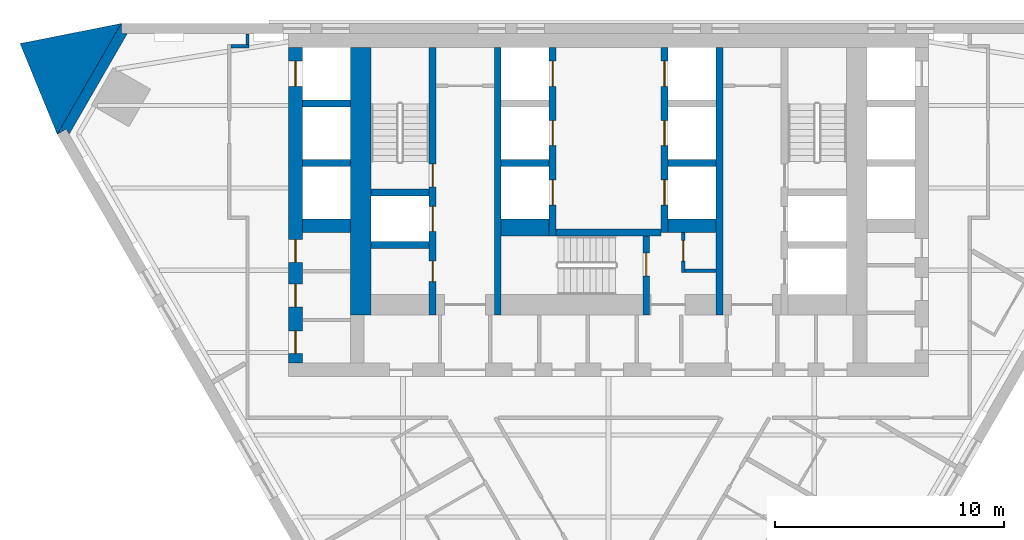
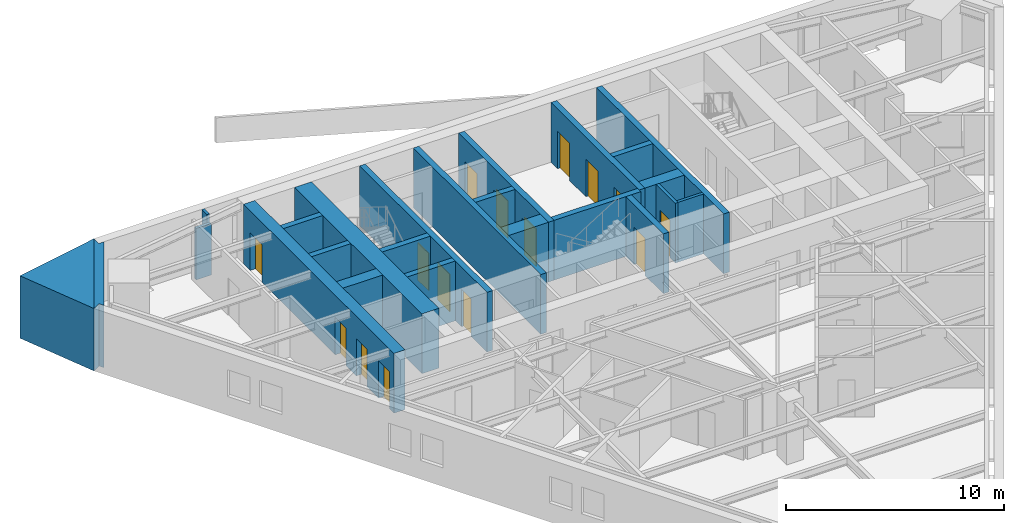
# One storey, part 5 of 10: 24 walls, 15 doors, 15 openings.
"""IFC4 building model written with IfcOpenShell, lengths in metres."""

from ifc_helpers import new_model, si_unit, direction, frame, frame_2d, origin, place, context, subcontext, project, spatial, polyline, rectangle, outline, extrude, material, layer, layer_set, type_object, element, fill, save


model = new_model("IFC4")

# Units and contexts
model_context = context("Model", 3, precision=1e-05, world=origin(), true_north=direction((0.0, 1.0)))
body_context = subcontext(model_context, "Body", "Model", "MODEL_VIEW")
ifc_project = project(units=[si_unit("LENGTHUNIT", "METRE"), si_unit("AREAUNIT", "SQUARE_METRE"), si_unit("VOLUMEUNIT", "CUBIC_METRE"), si_unit("PLANEANGLEUNIT", "RADIAN"), si_unit("MASSUNIT", "GRAM", prefix="KILO")], contexts=[model_context])

# Site, building, storey
site_placement = place(None, origin())
site = spatial("IfcSite", under=ifc_project, at=site_placement, CompositionType="ELEMENT")
building_placement = place(site_placement, origin())
building = spatial("IfcBuilding", under=site, at=building_placement, Name="Aloe Facet Convention Tower", CompositionType="ELEMENT")
storey_placement = place(building_placement, frame((0.0, 0.0, 85.300048828125)))
storey = spatial("IfcBuildingStorey", under=building, at=storey_placement, Name="L20", CompositionType="ELEMENT", Elevation=85.300048828125)

# Wall, opening, door
ifc_material_1 = material(Name="Concrete blockwork partition", Category="masonry")
ifc_layer_1 = layer(ifc_material_1, 0.14990234375)
ifc_layer_set_1 = layer_set([ifc_layer_1], Name="CR-W-PART150")
wall_type_1 = type_object("IfcWallType", Name="CR-W-PART150", PredefinedType="PARTITIONING", material=ifc_layer_set_1)
wall_1_placement = place(storey_placement, frame((83.27490234375, 125.85009765625, 0.0), z_axis=(0.0, 0.0, 1.0), x_axis=(0.0, -1.0, 0.0)))
wall_1 = element("IfcWall", 1, at=wall_1_placement, inside=storey, type_object=wall_type_1, Name="Core partition L20-036", PredefinedType="PARTITIONING", context=body_context, shape_type="SweptSolid", body=[
    extrude(rectangle(XDim=1.75, YDim=0.14990234375, at=frame_2d((0.875, 0.0))), origin(), (0.0, 0.0, 1.0), 3.349853515625),
])
opening_1_placement = place(wall_1_placement, frame((0.35009765625, 0.0, 0.0)))
opening_1 = element("IfcOpeningElement", 2, at=opening_1_placement, cuts=wall_1, Name="Opening L20-CD20", PredefinedType="OPENING", context=body_context, shape_type="SweptSolid", body=[
    extrude(rectangle(XDim=0.89990234375, YDim=2.10009765625, at=frame_2d((0.449951171875, 1.050048828125))), frame((0.0, 0.0849609375, 0.0), z_axis=(0.0, -1.0, 0.0), x_axis=(1.0, 0.0, 0.0)), (0.0, 0.0, 1.0), 0.169921875),
])
ifc_material_2 = material(Name="Steel fire-resisting door set FD60", Category="steel")
door_type_1 = type_object("IfcDoorType", Name="CR-D-REFUGE-900-FD60-SRIGHT", OperationType="SINGLE_SWING_RIGHT", PredefinedType="DOOR", material=ifc_material_2)
door_1_placement = place(opening_1_placement, origin())
door_1 = element("IfcDoor", 3, at=door_1_placement, inside=storey, type_object=door_type_1, Name="Core door L20-CD20", OperationType="SINGLE_SWING_RIGHT", OverallHeight=2.10009765625, OverallWidth=0.89990234375, PredefinedType="DOOR", context=body_context, shape_type="SweptSolid", body=[
    extrude(rectangle(XDim=0.89990234375, YDim=2.10009765625, at=frame_2d((0.449951171875, 1.050048828125))), frame((0.0, 0.02490234375, 0.0), z_axis=(0.0, -1.0, 0.0), x_axis=(1.0, 0.0, 0.0)), (0.0, 0.0, 1.0), 0.050048828125),
])
fill(opening_1, door_1)

# Walls
wall_2_placement = place(storey_placement, frame((83.35009765625, 124.175048828125, 0.0), z_axis=(0.0, 0.0, 1.0), x_axis=(1.0, 0.0, 0.0)))
element("IfcWall", 4, at=wall_2_placement, inside=storey, type_object=wall_type_1, Name="Core partition L20-037", PredefinedType="PARTITIONING", context=body_context, shape_type="SweptSolid", body=[
    extrude(rectangle(XDim=1.349853515625, YDim=0.14990234375, at=frame_2d((0.6748046875, 0.0))), origin(), (0.0, 0.0, 1.0), 3.349853515625),
])
ifc_material_3 = material(Name="Concrete C70/85", Category="concrete")
ifc_layer_2 = layer(ifc_material_3, 0.300048828125)
ifc_layer_set_2 = layer_set([ifc_layer_2], Name="CR-W-RC300-C7085")
wall_type_2 = type_object("IfcWallType", Name="CR-W-RC300-C7085", PredefinedType="SOLIDWALL", material=ifc_layer_set_2)
for number, where, z_axis, x_axis, name in (
    (5, (66.60009765625, 131.5, 0.0), (0.0, 0.0, 1.0), (1.0, 0.0, 0.0), "Core wall L20-004"),
    (6, (66.60009765625, 128.89990234375, 0.0), (0.0, 0.0, 1.0), (1.0, 0.0, 0.0), "Core wall L20-005"),
):
    element("IfcWall", number, at=place(storey_placement, frame(where, z_axis=z_axis, x_axis=x_axis)), inside=storey, type_object=wall_type_2, Name=name, PredefinedType="SOLIDWALL", context=body_context, shape_type="SweptSolid", body=[
        extrude(rectangle(XDim=2.099853515625, YDim=0.300048828125, at=frame_2d((1.0498046875, 0.0))), origin(), (0.0, 0.0, 1.0), 3.349853515625),
    ])
for number, where, z_axis, x_axis, name in (
    (7, (69.60009765625, 127.60009765625, 0.0), (0.0, 0.0, 1.0), (1.0, 0.0, 0.0), "Core wall L20-011"),
    (8, (69.60009765625, 125.300048828125, 0.0), (0.0, 0.0, 1.0), (1.0, 0.0, 0.0), "Core wall L20-012"),
):
    element("IfcWall", number, at=place(storey_placement, frame(where, z_axis=z_axis, x_axis=x_axis)), inside=storey, type_object=wall_type_2, Name=name, PredefinedType="SOLIDWALL", context=body_context, shape_type="SweptSolid", body=[
        extrude(rectangle(XDim=2.5498046875, YDim=0.300048828125, at=frame_2d((1.27490234375, 0.0))), origin(), (0.0, 0.0, 1.0), 3.349853515625),
    ])

# Wall, openings, doors
wall_3_placement = place(storey_placement, frame((72.300048828125, 133.949951171875, 0.0), z_axis=(0.0, 0.0, 1.0), x_axis=(0.0, -1.0, 0.0)))
wall_3 = element("IfcWall", 9, at=wall_3_placement, inside=storey, type_object=wall_type_2, Name="Core wall L20-014", PredefinedType="SOLIDWALL", context=body_context, shape_type="SweptSolid", body=[
    extrude(rectangle(XDim=11.699951171875, YDim=0.300048828125, at=frame_2d((5.85009765625, 0.0))), origin(), (0.0, 0.0, 1.0), 3.349853515625),
])
opening_2_placement = place(wall_3_placement, frame((6.949951171875, 0.0, 0.0)))
opening_2 = element("IfcOpeningElement", 10, at=opening_2_placement, cuts=wall_3, Name="Opening LD-FF1-L20", PredefinedType="OPENING", context=body_context, shape_type="SweptSolid", body=[
    extrude(rectangle(XDim=1.10009765625, YDim=2.10009765625, at=frame_2d((0.550048828125, 1.050048828125))), frame((0.0, 0.16015625, 0.0), z_axis=(0.0, -1.0, 0.0), x_axis=(1.0, 0.0, 0.0)), (0.0, 0.0, 1.0), 0.320068359375),
])
opening_3_placement = place(wall_3_placement, frame((9.35009765625, 0.0, 0.0)))
opening_3 = element("IfcOpeningElement", 11, at=opening_3_placement, cuts=wall_3, Name="Opening L20-CD23", PredefinedType="OPENING", context=body_context, shape_type="SweptSolid", body=[
    extrude(rectangle(XDim=0.89990234375, YDim=2.10009765625, at=frame_2d((0.449951171875, 1.050048828125))), frame((0.0, 0.16015625, 0.0), z_axis=(0.0, -1.0, 0.0), x_axis=(1.0, 0.0, 0.0)), (0.0, 0.0, 1.0), 0.320068359375),
])
opening_4_placement = place(wall_3_placement, frame((5.10009765625, 0.0, 0.0)))
opening_4 = element("IfcOpeningElement", 12, at=opening_4_placement, cuts=wall_3, Name="Opening L20-CD31", PredefinedType="OPENING", context=body_context, shape_type="SweptSolid", body=[
    extrude(rectangle(XDim=1.0, YDim=2.10009765625, at=frame_2d((0.5, 1.050048828125))), frame((0.0, 0.16015625, 0.0), z_axis=(0.0, -1.0, 0.0), x_axis=(1.0, 0.0, 0.0)), (0.0, 0.0, 1.0), 0.320068359375),
])
ifc_material_4 = material(Name="Steel fire-resisting door set FD60", Category="steel")
door_type_2 = type_object("IfcDoorType", Name="CR-D-ROOM-900-FD60-SLEFT", OperationType="SINGLE_SWING_LEFT", PredefinedType="DOOR", material=ifc_material_4)
door_2_placement = place(opening_3_placement, origin())
door_2 = element("IfcDoor", 13, at=door_2_placement, inside=storey, type_object=door_type_2, Name="Core door L20-CD23", OperationType="SINGLE_SWING_LEFT", OverallHeight=2.10009765625, OverallWidth=0.89990234375, PredefinedType="DOOR", context=body_context, shape_type="SweptSolid", body=[
    extrude(rectangle(XDim=0.89990234375, YDim=2.10009765625, at=frame_2d((0.449951171875, 1.050048828125))), frame((0.0, 0.02490234375, 0.0), z_axis=(0.0, -1.0, 0.0), x_axis=(1.0, 0.0, 0.0)), (0.0, 0.0, 1.0), 0.050048828125),
])
fill(opening_3, door_2)
ifc_material_5 = material(Name="Steel fire-resisting door set FD120", Category="steel")
door_type_3 = type_object("IfcDoorType", Name="CR-D-STAIR-1000-FD120-SRIGHT", OperationType="SINGLE_SWING_RIGHT", PredefinedType="DOOR", material=ifc_material_5)
door_3_placement = place(opening_4_placement, origin())
door_3 = element("IfcDoor", 14, at=door_3_placement, inside=storey, type_object=door_type_3, Name="Core door L20-CD31", OperationType="SINGLE_SWING_RIGHT", OverallHeight=2.10009765625, OverallWidth=1.0, PredefinedType="DOOR", context=body_context, shape_type="SweptSolid", body=[
    extrude(rectangle(XDim=1.0, YDim=2.10009765625, at=frame_2d((0.5, 1.050048828125))), frame((0.0, 0.02490234375, 0.0), z_axis=(0.0, -1.0, 0.0), x_axis=(1.0, 0.0, 0.0)), (0.0, 0.0, 1.0), 0.050048828125),
])
fill(opening_4, door_3)
ifc_material_6 = material(Name="Stainless steel sliding landing door", Category="steel")
door_type_4 = type_object("IfcDoorType", Name="CR-LD-1100-FD120-_LEFT", OperationType="SLIDING_TO_LEFT", PredefinedType="DOOR", material=ifc_material_6)
door_4_placement = place(opening_2_placement, origin())
door_4 = element("IfcDoor", 15, at=door_4_placement, inside=storey, type_object=door_type_4, Name="Landing door FF1 L20", OperationType="SLIDING_TO_LEFT", OverallHeight=2.10009765625, OverallWidth=1.10009765625, PredefinedType="DOOR", context=body_context, shape_type="SweptSolid", body=[
    extrude(rectangle(XDim=1.10009765625, YDim=2.10009765625, at=frame_2d((0.550048828125, 1.050048828125))), frame((0.0, 0.02490234375, 0.0), z_axis=(0.0, -1.0, 0.0), x_axis=(1.0, 0.0, 0.0)), (0.0, 0.0, 1.0), 0.050048828125),
])
fill(opening_2, door_4)

# Walls
wall_4_placement = place(storey_placement, frame((75.14990234375, 133.949951171875, 0.0), z_axis=(0.0, 0.0, 1.0), x_axis=(0.0, -1.0, 0.0)))
element("IfcWall", 16, at=wall_4_placement, inside=storey, type_object=wall_type_2, Name="Core wall L20-019", PredefinedType="SOLIDWALL", context=body_context, shape_type="SweptSolid", body=[
    extrude(rectangle(XDim=11.699951171875, YDim=0.300048828125, at=frame_2d((5.85009765625, 0.0))), origin(), (0.0, 0.0, 1.0), 3.349853515625),
])
wall_5_placement = place(storey_placement, frame((75.300048828125, 128.89990234375, 0.0), z_axis=(0.0, 0.0, 1.0), x_axis=(1.0, 0.0, 0.0)))
element("IfcWall", 17, at=wall_5_placement, inside=storey, type_object=wall_type_2, Name="Core wall L20-021", PredefinedType="SOLIDWALL", context=body_context, shape_type="SweptSolid", body=[
    extrude(rectangle(XDim=2.099853515625, YDim=0.300048828125, at=frame_2d((1.0498046875, 0.0))), origin(), (0.0, 0.0, 1.0), 3.349853515625),
])

# Wall, openings, doors
wall_6_placement = place(storey_placement, frame((77.550048828125, 133.949951171875, 0.0), z_axis=(0.0, 0.0, 1.0), x_axis=(0.0, -1.0, 0.0)))
wall_6 = element("IfcWall", 18, at=wall_6_placement, inside=storey, type_object=wall_type_2, Name="Core wall L20-025", PredefinedType="SOLIDWALL", context=body_context, shape_type="SweptSolid", body=[
    extrude(rectangle(XDim=8.25, YDim=0.300048828125, at=frame_2d((4.125, 0.0))), origin(), (0.0, 0.0, 1.0), 3.349853515625),
])
opening_5_placement = place(wall_6_placement, frame((0.60009765625, 0.0, 0.0)))
opening_5 = element("IfcOpeningElement", 19, at=opening_5_placement, cuts=wall_6, Name="Opening LD-A1-L20", PredefinedType="OPENING", context=body_context, shape_type="SweptSolid", body=[
    extrude(rectangle(XDim=1.10009765625, YDim=2.10009765625, at=frame_2d((0.550048828125, 1.050048828125))), frame((0.0, 0.16015625, 0.0), z_axis=(0.0, -1.0, 0.0), x_axis=(1.0, 0.0, 0.0)), (0.0, 0.0, 1.0), 0.320068359375),
])
opening_6_placement = place(wall_6_placement, frame((3.199951171875, 0.0, 0.0)))
opening_6 = element("IfcOpeningElement", 20, at=opening_6_placement, cuts=wall_6, Name="Opening LD-A2-L20", PredefinedType="OPENING", context=body_context, shape_type="SweptSolid", body=[
    extrude(rectangle(XDim=1.10009765625, YDim=2.10009765625, at=frame_2d((0.550048828125, 1.050048828125))), frame((0.0, 0.16015625, 0.0), z_axis=(0.0, -1.0, 0.0), x_axis=(1.0, 0.0, 0.0)), (0.0, 0.0, 1.0), 0.320068359375),
])
opening_7_placement = place(wall_6_placement, frame((5.800048828125, 0.0, 0.0)))
opening_7 = element("IfcOpeningElement", 21, at=opening_7_placement, cuts=wall_6, Name="Opening LD-A3-L20", PredefinedType="OPENING", context=body_context, shape_type="SweptSolid", body=[
    extrude(rectangle(XDim=1.10009765625, YDim=2.10009765625, at=frame_2d((0.550048828125, 1.050048828125))), frame((0.0, 0.16015625, 0.0), z_axis=(0.0, -1.0, 0.0), x_axis=(1.0, 0.0, 0.0)), (0.0, 0.0, 1.0), 0.320068359375),
])
ifc_material_7 = material(Name="Stainless steel sliding landing door", Category="steel")
door_type_5 = type_object("IfcDoorType", Name="CR-LD-1100-FD60-RIGHT", OperationType="SLIDING_TO_RIGHT", PredefinedType="DOOR", material=ifc_material_7)
door_5_placement = place(opening_5_placement, origin())
door_5 = element("IfcDoor", 22, at=door_5_placement, inside=storey, type_object=door_type_5, Name="Landing door A1 L20", OperationType="SLIDING_TO_RIGHT", OverallHeight=2.10009765625, OverallWidth=1.10009765625, PredefinedType="DOOR", context=body_context, shape_type="SweptSolid", body=[
    extrude(rectangle(XDim=1.10009765625, YDim=2.10009765625, at=frame_2d((0.550048828125, 1.050048828125))), frame((0.0, 0.02490234375, 0.0), z_axis=(0.0, -1.0, 0.0), x_axis=(1.0, 0.0, 0.0)), (0.0, 0.0, 1.0), 0.050048828125),
])
fill(opening_5, door_5)
door_6_placement = place(opening_6_placement, origin())
door_6 = element("IfcDoor", 23, at=door_6_placement, inside=storey, type_object=door_type_5, Name="Landing door A2 L20", OperationType="SLIDING_TO_RIGHT", OverallHeight=2.10009765625, OverallWidth=1.10009765625, PredefinedType="DOOR", context=body_context, shape_type="SweptSolid", body=[
    extrude(rectangle(XDim=1.10009765625, YDim=2.10009765625, at=frame_2d((0.550048828125, 1.050048828125))), frame((0.0, 0.02490234375, 0.0), z_axis=(0.0, -1.0, 0.0), x_axis=(1.0, 0.0, 0.0)), (0.0, 0.0, 1.0), 0.050048828125),
])
fill(opening_6, door_6)
door_7_placement = place(opening_7_placement, origin())
door_7 = element("IfcDoor", 24, at=door_7_placement, inside=storey, type_object=door_type_5, Name="Landing door A3 L20", OperationType="SLIDING_TO_RIGHT", OverallHeight=2.10009765625, OverallWidth=1.10009765625, PredefinedType="DOOR", context=body_context, shape_type="SweptSolid", body=[
    extrude(rectangle(XDim=1.10009765625, YDim=2.10009765625, at=frame_2d((0.550048828125, 1.050048828125))), frame((0.0, 0.02490234375, 0.0), z_axis=(0.0, -1.0, 0.0), x_axis=(1.0, 0.0, 0.0)), (0.0, 0.0, 1.0), 0.050048828125),
])
fill(opening_7, door_7)

# Wall
wall_7_placement = place(storey_placement, frame((77.699951171875, 125.85009765625, 0.0), z_axis=(0.0, 0.0, 1.0), x_axis=(1.0, 0.0, 0.0)))
element("IfcWall", 25, at=wall_7_placement, inside=storey, type_object=wall_type_2, Name="Core wall L20-026", PredefinedType="SOLIDWALL", context=body_context, shape_type="SweptSolid", body=[
    extrude(rectangle(XDim=4.60009765625, YDim=0.300048828125, at=frame_2d((2.300048828125, 0.0))), origin(), (0.0, 0.0, 1.0), 3.349853515625),
])

# Wall, opening, door
wall_8_placement = place(storey_placement, frame((81.64990234375, 125.699951171875, 0.0), z_axis=(0.0, 0.0, 1.0), x_axis=(0.0, -1.0, 0.0)))
wall_8 = element("IfcWall", 26, at=wall_8_placement, inside=storey, type_object=wall_type_2, Name="Core wall L20-029", PredefinedType="SOLIDWALL", context=body_context, shape_type="SweptSolid", body=[
    extrude(rectangle(XDim=3.449951171875, YDim=0.300048828125, at=frame_2d((1.72509765625, 0.0))), origin(), (0.0, 0.0, 1.0), 3.349853515625),
])
opening_8_placement = place(wall_8_placement, frame((0.75, 0.0, 0.0)))
opening_8 = element("IfcOpeningElement", 27, at=opening_8_placement, cuts=wall_8, Name="Opening L20-CD33", PredefinedType="OPENING", context=body_context, shape_type="SweptSolid", body=[
    extrude(rectangle(XDim=1.0, YDim=2.10009765625, at=frame_2d((0.5, 1.050048828125))), frame((0.0, 0.16015625, 0.0), z_axis=(0.0, -1.0, 0.0), x_axis=(1.0, 0.0, 0.0)), (0.0, 0.0, 1.0), 0.320068359375),
])
ifc_material_8 = material(Name="Steel fire-resisting door set FD120", Category="steel")
door_type_6 = type_object("IfcDoorType", Name="CR-D-STAIR-1000-FD120-SLEFT", OperationType="SINGLE_SWING_LEFT", PredefinedType="DOOR", material=ifc_material_8)
door_8_placement = place(opening_8_placement, origin())
door_8 = element("IfcDoor", 28, at=door_8_placement, inside=storey, type_object=door_type_6, Name="Core door L20-CD33", OperationType="SINGLE_SWING_LEFT", OverallHeight=2.10009765625, OverallWidth=1.0, PredefinedType="DOOR", context=body_context, shape_type="SweptSolid", body=[
    extrude(rectangle(XDim=1.0, YDim=2.10009765625, at=frame_2d((0.5, 1.050048828125))), frame((0.0, 0.02490234375, 0.0), z_axis=(0.0, -1.0, 0.0), x_axis=(1.0, 0.0, 0.0)), (0.0, 0.0, 1.0), 0.050048828125),
])
fill(opening_8, door_8)

# Wall, openings, doors
wall_9_placement = place(storey_placement, frame((82.449951171875, 133.949951171875, 0.0), z_axis=(0.0, 0.0, 1.0), x_axis=(0.0, -1.0, 0.0)))
wall_9 = element("IfcWall", 29, at=wall_9_placement, inside=storey, type_object=wall_type_2, Name="Core wall L20-031", PredefinedType="SOLIDWALL", context=body_context, shape_type="SweptSolid", body=[
    extrude(rectangle(XDim=8.099853515625, YDim=0.300048828125, at=frame_2d((4.0498046875, 0.0))), origin(), (0.0, 0.0, 1.0), 3.349853515625),
])
opening_9_placement = place(wall_9_placement, frame((0.60009765625, 0.0, 0.0)))
opening_9 = element("IfcOpeningElement", 30, at=opening_9_placement, cuts=wall_9, Name="Opening LD-A4-L20", PredefinedType="OPENING", context=body_context, shape_type="SweptSolid", body=[
    extrude(rectangle(XDim=1.10009765625, YDim=2.10009765625, at=frame_2d((0.550048828125, 1.050048828125))), frame((0.0, 0.16015625, 0.0), z_axis=(0.0, -1.0, 0.0), x_axis=(1.0, 0.0, 0.0)), (0.0, 0.0, 1.0), 0.320068359375),
])
opening_10_placement = place(wall_9_placement, frame((3.199951171875, 0.0, 0.0)))
opening_10 = element("IfcOpeningElement", 31, at=opening_10_placement, cuts=wall_9, Name="Opening LD-A5-L20", PredefinedType="OPENING", context=body_context, shape_type="SweptSolid", body=[
    extrude(rectangle(XDim=1.10009765625, YDim=2.10009765625, at=frame_2d((0.550048828125, 1.050048828125))), frame((0.0, 0.16015625, 0.0), z_axis=(0.0, -1.0, 0.0), x_axis=(1.0, 0.0, 0.0)), (0.0, 0.0, 1.0), 0.320068359375),
])
opening_11_placement = place(wall_9_placement, frame((5.800048828125, 0.0, 0.0)))
opening_11 = element("IfcOpeningElement", 32, at=opening_11_placement, cuts=wall_9, Name="Opening LD-A6-L20", PredefinedType="OPENING", context=body_context, shape_type="SweptSolid", body=[
    extrude(rectangle(XDim=1.10009765625, YDim=2.10009765625, at=frame_2d((0.550048828125, 1.050048828125))), frame((0.0, 0.16015625, 0.0), z_axis=(0.0, -1.0, 0.0), x_axis=(1.0, 0.0, 0.0)), (0.0, 0.0, 1.0), 0.320068359375),
])
ifc_material_9 = material(Name="Stainless steel sliding landing door", Category="steel")
door_type_7 = type_object("IfcDoorType", Name="CR-LD-1100-FD60-_LEFT", OperationType="SLIDING_TO_LEFT", PredefinedType="DOOR", material=ifc_material_9)
door_9_placement = place(opening_9_placement, origin())
door_9 = element("IfcDoor", 33, at=door_9_placement, inside=storey, type_object=door_type_7, Name="Landing door A4 L20", OperationType="SLIDING_TO_LEFT", OverallHeight=2.10009765625, OverallWidth=1.10009765625, PredefinedType="DOOR", context=body_context, shape_type="SweptSolid", body=[
    extrude(rectangle(XDim=1.10009765625, YDim=2.10009765625, at=frame_2d((0.550048828125, 1.050048828125))), frame((0.0, 0.02490234375, 0.0), z_axis=(0.0, -1.0, 0.0), x_axis=(1.0, 0.0, 0.0)), (0.0, 0.0, 1.0), 0.050048828125),
])
fill(opening_9, door_9)
door_10_placement = place(opening_10_placement, origin())
door_10 = element("IfcDoor", 34, at=door_10_placement, inside=storey, type_object=door_type_7, Name="Landing door A5 L20", OperationType="SLIDING_TO_LEFT", OverallHeight=2.10009765625, OverallWidth=1.10009765625, PredefinedType="DOOR", context=body_context, shape_type="SweptSolid", body=[
    extrude(rectangle(XDim=1.10009765625, YDim=2.10009765625, at=frame_2d((0.550048828125, 1.050048828125))), frame((0.0, 0.02490234375, 0.0), z_axis=(0.0, -1.0, 0.0), x_axis=(1.0, 0.0, 0.0)), (0.0, 0.0, 1.0), 0.050048828125),
])
fill(opening_10, door_10)
door_11_placement = place(opening_11_placement, origin())
door_11 = element("IfcDoor", 35, at=door_11_placement, inside=storey, type_object=door_type_7, Name="Landing door A6 L20", OperationType="SLIDING_TO_LEFT", OverallHeight=2.10009765625, OverallWidth=1.10009765625, PredefinedType="DOOR", context=body_context, shape_type="SweptSolid", body=[
    extrude(rectangle(XDim=1.10009765625, YDim=2.10009765625, at=frame_2d((0.550048828125, 1.050048828125))), frame((0.0, 0.02490234375, 0.0), z_axis=(0.0, -1.0, 0.0), x_axis=(1.0, 0.0, 0.0)), (0.0, 0.0, 1.0), 0.050048828125),
])
fill(opening_11, door_11)

# Walls
wall_10_placement = place(storey_placement, frame((82.60009765625, 128.89990234375, 0.0), z_axis=(0.0, 0.0, 1.0), x_axis=(1.0, 0.0, 0.0)))
element("IfcWall", 36, at=wall_10_placement, inside=storey, type_object=wall_type_2, Name="Core wall L20-033", PredefinedType="SOLIDWALL", context=body_context, shape_type="SweptSolid", body=[
    extrude(rectangle(XDim=2.099853515625, YDim=0.300048828125, at=frame_2d((1.0498046875, 0.0))), origin(), (0.0, 0.0, 1.0), 3.349853515625),
])
wall_11_placement = place(storey_placement, frame((84.85009765625, 133.949951171875, 0.0), z_axis=(0.0, 0.0, 1.0), x_axis=(0.0, -1.0, 0.0)))
element("IfcWall", 37, at=wall_11_placement, inside=storey, type_object=wall_type_2, Name="Core wall L20-038", PredefinedType="SOLIDWALL", context=body_context, shape_type="SweptSolid", body=[
    extrude(rectangle(XDim=11.699951171875, YDim=0.300048828125, at=frame_2d((5.85009765625, 0.0))), origin(), (0.0, 0.0, 1.0), 3.349853515625),
])

# Wall, openings, doors
ifc_material_10 = material(Name="Concrete C70/85", Category="concrete")
ifc_layer_3 = layer(ifc_material_10, 0.60009765625)
ifc_layer_set_3 = layer_set([ifc_layer_3], Name="CR-W-RC600-C7085")
wall_type_3 = type_object("IfcWallType", Name="CR-W-RC600-C7085", PredefinedType="SOLIDWALL", material=ifc_layer_set_3)
wall_12_placement = place(storey_placement, frame((66.300048828125, 133.949951171875, 0.0), z_axis=(0.0, 0.0, 1.0), x_axis=(0.0, -1.0, 0.0)))
wall_12 = element("IfcWall", 38, at=wall_12_placement, inside=storey, type_object=wall_type_3, Name="Core wall L20-002", PredefinedType="SOLIDWALL", context=body_context, shape_type="SweptSolid", body=[
    extrude(rectangle(XDim=13.800048828125, YDim=0.60009765625, at=frame_2d((6.89990234375, 0.0))), origin(), (0.0, 0.0, 1.0), 3.349853515625),
])
opening_12_placement = place(wall_12_placement, frame((0.60009765625, 0.0, 0.0)))
opening_12 = element("IfcOpeningElement", 39, at=opening_12_placement, cuts=wall_12, Name="Opening LD-A7-L20", PredefinedType="OPENING", context=body_context, shape_type="SweptSolid", body=[
    extrude(rectangle(XDim=1.10009765625, YDim=2.10009765625, at=frame_2d((0.550048828125, 1.050048828125))), frame((0.0, 0.31005859375, 0.0), z_axis=(0.0, -1.0, 0.0), x_axis=(1.0, 0.0, 0.0)), (0.0, 0.0, 1.0), 0.6201171875),
])
opening_13_placement = place(wall_12_placement, frame((8.4052734375, 0.0, 0.0)))
opening_13 = element("IfcOpeningElement", 40, at=opening_13_placement, cuts=wall_12, Name="Opening L20-CD35", PredefinedType="OPENING", context=body_context, shape_type="SweptSolid", body=[
    extrude(rectangle(XDim=1.0, YDim=2.10009765625, at=frame_2d((0.5, 1.050048828125))), frame((0.0, 0.31005859375, 0.0), z_axis=(0.0, -1.0, 0.0), x_axis=(1.0, 0.0, 0.0)), (0.0, 0.0, 1.0), 0.6201171875),
])
opening_14_placement = place(wall_12_placement, frame((10.355224609375, 0.0, 0.0)))
opening_14 = element("IfcOpeningElement", 41, at=opening_14_placement, cuts=wall_12, Name="Opening L20-CD36", PredefinedType="OPENING", context=body_context, shape_type="SweptSolid", body=[
    extrude(rectangle(XDim=1.0, YDim=2.10009765625, at=frame_2d((0.5, 1.050048828125))), frame((0.0, 0.31005859375, 0.0), z_axis=(0.0, -1.0, 0.0), x_axis=(1.0, 0.0, 0.0)), (0.0, 0.0, 1.0), 0.6201171875),
])
opening_15_placement = place(wall_12_placement, frame((12.39990234375, 0.0, 0.0)))
opening_15 = element("IfcOpeningElement", 42, at=opening_15_placement, cuts=wall_12, Name="Opening L20-CD37", PredefinedType="OPENING", context=body_context, shape_type="SweptSolid", body=[
    extrude(rectangle(XDim=1.0, YDim=2.10009765625, at=frame_2d((0.5, 1.050048828125))), frame((0.0, 0.31005859375, 0.0), z_axis=(0.0, -1.0, 0.0), x_axis=(1.0, 0.0, 0.0)), (0.0, 0.0, 1.0), 0.6201171875),
])
ifc_material_11 = material(Name="Steel fire-resisting door set FD60", Category="steel")
door_type_8 = type_object("IfcDoorType", Name="CR-D-ROOM-1000-FD60-SLEFT", OperationType="SINGLE_SWING_LEFT", PredefinedType="DOOR", material=ifc_material_11)
door_12_placement = place(opening_13_placement, origin())
door_12 = element("IfcDoor", 43, at=door_12_placement, inside=storey, type_object=door_type_8, Name="Core door L20-CD35", OperationType="SINGLE_SWING_LEFT", OverallHeight=2.10009765625, OverallWidth=1.0, PredefinedType="DOOR", context=body_context, shape_type="SweptSolid", body=[
    extrude(rectangle(XDim=1.0, YDim=2.10009765625, at=frame_2d((0.5, 1.050048828125))), frame((0.0, 0.02490234375, 0.0), z_axis=(0.0, -1.0, 0.0), x_axis=(1.0, 0.0, 0.0)), (0.0, 0.0, 1.0), 0.050048828125),
])
fill(opening_13, door_12)
door_13_placement = place(opening_14_placement, origin())
door_13 = element("IfcDoor", 44, at=door_13_placement, inside=storey, type_object=door_type_8, Name="Core door L20-CD36", OperationType="SINGLE_SWING_LEFT", OverallHeight=2.10009765625, OverallWidth=1.0, PredefinedType="DOOR", context=body_context, shape_type="SweptSolid", body=[
    extrude(rectangle(XDim=1.0, YDim=2.10009765625, at=frame_2d((0.5, 1.050048828125))), frame((0.0, 0.02490234375, 0.0), z_axis=(0.0, -1.0, 0.0), x_axis=(1.0, 0.0, 0.0)), (0.0, 0.0, 1.0), 0.050048828125),
])
fill(opening_14, door_13)
door_14_placement = place(opening_15_placement, origin())
door_14 = element("IfcDoor", 45, at=door_14_placement, inside=storey, type_object=door_type_8, Name="Core door L20-CD37", OperationType="SINGLE_SWING_LEFT", OverallHeight=2.10009765625, OverallWidth=1.0, PredefinedType="DOOR", context=body_context, shape_type="SweptSolid", body=[
    extrude(rectangle(XDim=1.0, YDim=2.10009765625, at=frame_2d((0.5, 1.050048828125))), frame((0.0, 0.02490234375, 0.0), z_axis=(0.0, -1.0, 0.0), x_axis=(1.0, 0.0, 0.0)), (0.0, 0.0, 1.0), 0.050048828125),
])
fill(opening_15, door_14)
door_15_placement = place(opening_12_placement, origin())
door_15 = element("IfcDoor", 46, at=door_15_placement, inside=storey, type_object=door_type_7, Name="Landing door A7 L20", OperationType="SLIDING_TO_LEFT", OverallHeight=2.10009765625, OverallWidth=1.10009765625, PredefinedType="DOOR", context=body_context, shape_type="SweptSolid", body=[
    extrude(rectangle(XDim=1.10009765625, YDim=2.10009765625, at=frame_2d((0.550048828125, 1.050048828125))), frame((0.0, 0.02490234375, 0.0), z_axis=(0.0, -1.0, 0.0), x_axis=(1.0, 0.0, 0.0)), (0.0, 0.0, 1.0), 0.050048828125),
])
fill(opening_12, door_15)

# Walls
for number, where, z_axis, x_axis, name in (
    (47, (66.60009765625, 126.14990234375, 0.0), (0.0, 0.0, 1.0), (1.0, 0.0, 0.0), "Core wall L20-006"),
    (48, (82.60009765625, 126.14990234375, 0.0), (0.0, 0.0, 1.0), (1.0, 0.0, 0.0), "Core wall L20-034"),
):
    element("IfcWall", number, at=place(storey_placement, frame(where, z_axis=z_axis, x_axis=x_axis)), inside=storey, type_object=wall_type_3, Name=name, PredefinedType="SOLIDWALL", context=body_context, shape_type="SweptSolid", body=[
        extrude(rectangle(XDim=2.099853515625, YDim=0.60009765625, at=frame_2d((1.0498046875, 0.0))), origin(), (0.0, 0.0, 1.0), 3.349853515625),
    ])
ifc_material_12 = material(Name="Concrete C70/85", Category="concrete")
ifc_layer_4 = layer(ifc_material_12, 0.75)
ifc_layer_set_4 = layer_set([ifc_layer_4], Name="CR-W-RC750-C7085")
wall_type_4 = type_object("IfcWallType", Name="CR-W-RC750-C7085", PredefinedType="SOLIDWALL", material=ifc_layer_set_4)
wall_13_placement = place(storey_placement, frame((75.300048828125, 126.074951171875, 0.0), z_axis=(0.0, 0.0, 1.0), x_axis=(1.0, 0.0, 0.0)))
element("IfcWall", 49, at=wall_13_placement, inside=storey, type_object=wall_type_4, Name="Core wall L20-022", PredefinedType="SOLIDWALL", context=body_context, shape_type="SweptSolid", body=[
    extrude(rectangle(XDim=2.099853515625, YDim=0.75, at=frame_2d((1.0498046875, 0.0))), origin(), (0.0, 0.0, 1.0), 3.349853515625),
])
ifc_material_13 = material(Name="Concrete C70/85", Category="concrete")
ifc_layer_5 = layer(ifc_material_13, 0.89990234375)
ifc_layer_set_5 = layer_set([ifc_layer_5], Name="CR-W-RC900-C7085")
wall_type_5 = type_object("IfcWallType", Name="CR-W-RC900-C7085", PredefinedType="SOLIDWALL", material=ifc_layer_set_5)
wall_14_placement = place(storey_placement, frame((69.14990234375, 133.949951171875, 0.0), z_axis=(0.0, 0.0, 1.0), x_axis=(0.0, -1.0, 0.0)))
element("IfcWall", 50, at=wall_14_placement, inside=storey, type_object=wall_type_5, Name="Core wall L20-009", PredefinedType="SOLIDWALL", context=body_context, shape_type="SweptSolid", body=[
    extrude(rectangle(XDim=11.699951171875, YDim=0.89990234375, at=frame_2d((5.85009765625, 0.0))), origin(), (0.0, 0.0, 1.0), 3.349853515625),
])
ifc_material_14 = material(Name="Precast concrete C40/50", Category="concrete")
ifc_layer_6 = layer(ifc_material_14, 0.449951171875)
ifc_layer_set_6 = layer_set([ifc_layer_6], Name="EV-WALL-PIER")
wall_type_6 = type_object("IfcWallType", Name="EV-WALL-PIER", PredefinedType="SOLIDWALL", material=ifc_layer_set_6)
wall_15_placement = place(storey_placement, frame((0.0, 0.0, -0.150146484375)))
element("IfcWall", 51, at=wall_15_placement, inside=storey, type_object=wall_type_6, Name="EP-L20-A", PredefinedType="SOLIDWALL", context=body_context, shape_type="SweptSolid", body=[
    extrude(outline(polyline([(58.678466796875, 135.0), (58.678466796875, 134.550048828125), (58.938232421875, 134.550048828125), (56.398193359375, 130.150146484375), (56.26806640625, 130.375244140625), (55.87841796875, 130.150146484375), (58.678466796875, 135.0)])), origin(), (0.0, 0.0, 1.0), 3.5),
])
ifc_material_15 = material(Name="Precast concrete C40/50", Category="concrete")
ifc_layer_7 = layer(ifc_material_15, 3.947998046875)
ifc_layer_set_7 = layer_set([ifc_layer_7], Name="EV-WALL-SPINE")
wall_type_7 = type_object("IfcWallType", Name="EV-WALL-SPINE", PredefinedType="SOLIDWALL", material=ifc_layer_set_7)
wall_16_placement = place(storey_placement, frame((0.0, 0.0, -0.150146484375)))
element("IfcWall", 52, at=wall_16_placement, inside=storey, type_object=wall_type_7, Name="SP-NW-L20", PredefinedType="SOLIDWALL", context=body_context, shape_type="SweptSolid", body=[
    extrude(outline(polyline([(58.678466796875, 135.0), (54.24755859375, 134.122314453125), (55.87841796875, 130.150146484375), (58.678466796875, 135.0)])), origin(), (0.0, 0.0, 1.0), 3.5),
])
ifc_material_16 = material(Name="Gypsum board partition on steel studs", Category="steel")
ifc_layer_8 = layer(ifc_material_16, 0.14990234375)
ifc_layer_set_8 = layer_set([ifc_layer_8], Name="IN-W-CORR")
wall_type_8 = type_object("IfcWallType", Name="IN-W-CORR", PredefinedType="PARTITIONING", material=ifc_layer_set_8)
wall_17_placement = place(storey_placement, frame((63.47509765625, 134.0, 0.0), z_axis=(0.0, 0.0, 1.0), x_axis=(1.0, 0.0, 0.0)))
element("IfcWall", 53, at=wall_17_placement, inside=storey, type_object=wall_type_8, Name="Partition L20-W060", PredefinedType="PARTITIONING", context=body_context, shape_type="SweptSolid", body=[
    extrude(rectangle(XDim=0.7998046875, YDim=0.14990234375, at=frame_2d((0.39990234375, 0.0))), origin(), (0.0, 0.0, 1.0), 2.886474609375),
])
wall_18_placement = place(storey_placement, frame((64.199951171875, 134.074951171875, 0.0), z_axis=(0.0, 0.0, 1.0), x_axis=(0.0, 1.0, 0.0)))
element("IfcWall", 54, at=wall_18_placement, inside=storey, type_object=wall_type_8, Name="Partition L20-W061", PredefinedType="PARTITIONING", context=body_context, shape_type="SweptSolid", body=[
    extrude(rectangle(XDim=0.465087890625, YDim=0.14990234375, at=frame_2d((0.232421875, 0.0))), origin(), (0.0, 0.0, 1.0), 3.349853515625),
])

save(model, "model.ifc")
